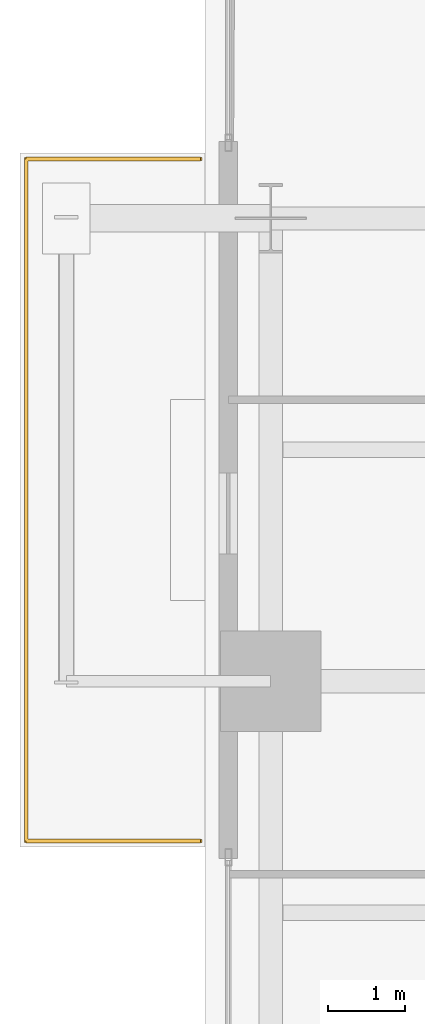
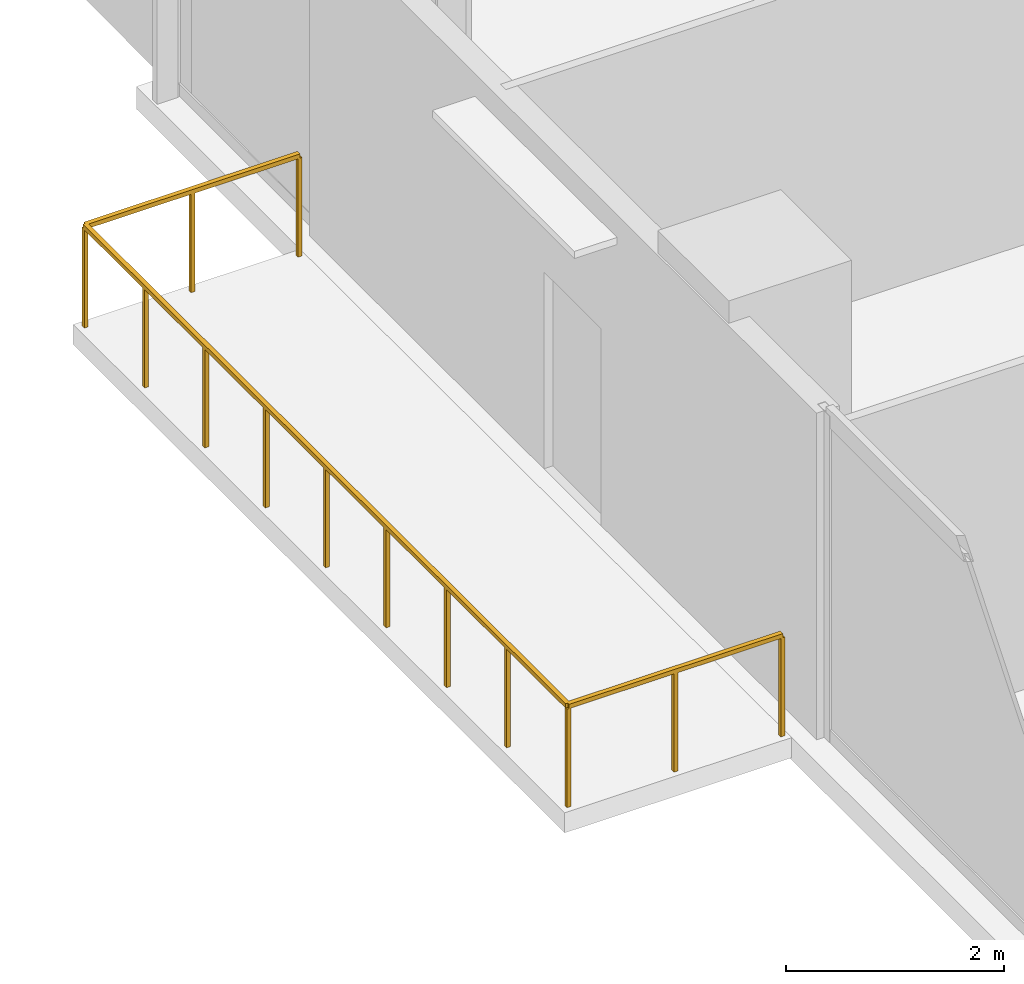
# One storey, part 27 of 27: 1 railing.
"""IFC4 building model written with IfcOpenShell, lengths in metres."""

from ifc_helpers import new_model, si_unit, direction, frame, origin, origin_2d, place, context, subcontext, project, spatial, rectangle, extrude, material, type_object, element, save


model = new_model("IFC4")

# Units and contexts
model_context = context("Model", 3, precision=1e-05, world=origin(), true_north=direction((0.0, 1.0)))
body_context = subcontext(model_context, "Body", "Model", "MODEL_VIEW")
ifc_project = project(units=[si_unit("LENGTHUNIT", "METRE"), si_unit("AREAUNIT", "SQUARE_METRE"), si_unit("VOLUMEUNIT", "CUBIC_METRE"), si_unit("PLANEANGLEUNIT", "RADIAN"), si_unit("MASSUNIT", "GRAM", prefix="KILO"), si_unit("THERMODYNAMICTEMPERATUREUNIT", "KELVIN"), si_unit("POWERUNIT", "WATT")], contexts=[model_context])

# Site, building, storey
site_placement = place(None, origin())
site = spatial("IfcSite", under=ifc_project, at=site_placement, CompositionType="ELEMENT")
building_placement = place(site_placement, origin())
building = spatial("IfcBuilding", under=site, at=building_placement, Name="Svarakhadi Broadcast Tower", CompositionType="ELEMENT")
storey_placement = place(building_placement, frame((0.0, 0.0, 40.199951171875)))
storey = spatial("IfcBuildingStorey", under=building, at=storey_placement, Name="L08", CompositionType="ELEMENT", Elevation=40.199951171875)

# Railing
ifc_material = material(Name="Laminated Structural SentryGlas Balustrade 25.5 mm", Category="glass")
railing_type = type_object("IfcRailingType", Name="Guard_Balcony_GR01", PredefinedType="BALUSTRADE", material=ifc_material)
railing_placement = place(storey_placement, frame((-0.06005859375, 33.080078125, 0.0)))
element("IfcRailing", 1, at=railing_placement, inside=storey, type_object=railing_type, Name="L08 West Tree Balcony Guard GR-05", PredefinedType="BALUSTRADE", context=body_context, shape_type="SweptSolid", body=[
    extrude(rectangle(XDim=0.048095703125, YDim=0.048095703125, at=origin_2d()), frame((0.0, 0.0, 1.1259765625), z_axis=(-1.0, 0.0, 0.0), x_axis=(0.0, -1.0, 0.0)), (0.0, 0.0, 1.0), 2.260009765625),
    extrude(rectangle(XDim=0.048095703125, YDim=0.048095703125, at=origin_2d()), frame((-2.260009765625, 0.0, 1.1259765625), z_axis=(0.0, 1.0, 0.0), x_axis=(-1.0, 0.0, 0.0)), (0.0, 0.0, 1.0), 8.83984375),
    extrude(rectangle(XDim=0.048095703125, YDim=0.048095703125, at=origin_2d()), frame((-2.260009765625, 8.83984375, 1.1259765625), z_axis=(1.0, 0.0, 0.0), x_axis=(0.0, 1.0, 0.0)), (0.0, 0.0, 1.0), 2.260009765625),
    extrude(rectangle(XDim=0.0419921875, YDim=0.0419921875, at=origin_2d()), origin(), (0.0, 0.0, 1.0), 1.101806640625),
    extrude(rectangle(XDim=0.0419921875, YDim=0.0419921875, at=origin_2d()), frame((-1.1298828125, 0.0, 0.0)), (0.0, 0.0, 1.0), 1.101806640625),
    extrude(rectangle(XDim=0.0419921875, YDim=0.0419921875, at=origin_2d()), frame((-2.260009765625, 0.0, 0.0)), (0.0, 0.0, 1.0), 1.101806640625),
    extrude(rectangle(XDim=0.0419921875, YDim=0.0419921875, at=origin_2d()), frame((-2.260009765625, 1.10498046875, 0.0)), (0.0, 0.0, 1.0), 1.101806640625),
    extrude(rectangle(XDim=0.0419921875, YDim=0.0419921875, at=origin_2d()), frame((-2.260009765625, 2.2099609375, 0.0)), (0.0, 0.0, 1.0), 1.101806640625),
    extrude(rectangle(XDim=0.0419921875, YDim=0.0419921875, at=origin_2d()), frame((-2.260009765625, 3.31494140625, 0.0)), (0.0, 0.0, 1.0), 1.101806640625),
    extrude(rectangle(XDim=0.0419921875, YDim=0.0419921875, at=origin_2d()), frame((-2.260009765625, 4.419921875, 0.0)), (0.0, 0.0, 1.0), 1.101806640625),
    extrude(rectangle(XDim=0.0419921875, YDim=0.0419921875, at=origin_2d()), frame((-2.260009765625, 5.52490234375, 0.0)), (0.0, 0.0, 1.0), 1.101806640625),
    extrude(rectangle(XDim=0.0419921875, YDim=0.0419921875, at=origin_2d()), frame((-2.260009765625, 6.6298828125, 0.0)), (0.0, 0.0, 1.0), 1.101806640625),
    extrude(rectangle(XDim=0.0419921875, YDim=0.0419921875, at=origin_2d()), frame((-2.260009765625, 7.73486328125, 0.0)), (0.0, 0.0, 1.0), 1.101806640625),
    extrude(rectangle(XDim=0.0419921875, YDim=0.0419921875, at=origin_2d()), frame((-2.260009765625, 8.83984375, 0.0)), (0.0, 0.0, 1.0), 1.101806640625),
    extrude(rectangle(XDim=0.0419921875, YDim=0.0419921875, at=origin_2d()), frame((-1.1298828125, 8.83984375, 0.0)), (0.0, 0.0, 1.0), 1.101806640625),
    extrude(rectangle(XDim=0.0419921875, YDim=0.0419921875, at=origin_2d()), frame((0.0, 8.83984375, 0.0)), (0.0, 0.0, 1.0), 1.101806640625),
])

save(model, "model.ifc")
